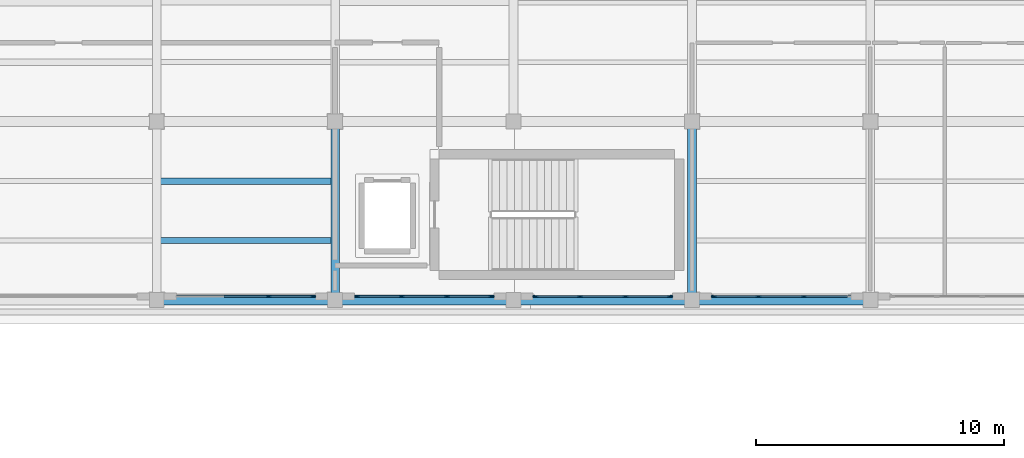
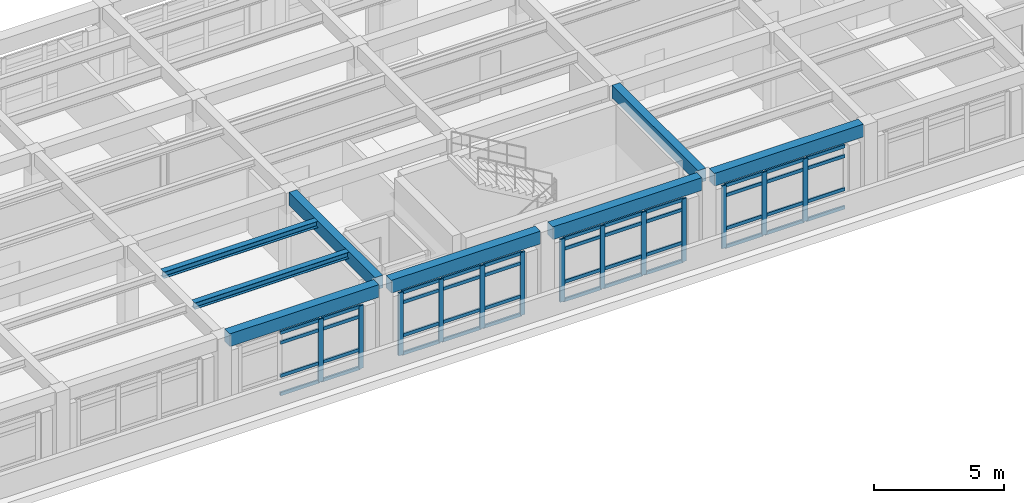
# One storey, part 4 of 19: 57 members, 8 beams, 4 elements without a shape of their own.
"""IFC4 building model written with IfcOpenShell, lengths in metres."""

from ifc_helpers import new_model, si_unit, direction, frame, origin, origin_2d, place, context, subcontext, project, spatial, rectangle, i_section, extrude, material, layer, layer_set, material_profile, profile_set, type_object, element, aggregate, save


model = new_model("IFC4")

# Units and contexts
model_context = context("Model", 3, precision=1e-05, world=origin(), true_north=direction((0.0, 1.0)))
body_context = subcontext(model_context, "Body", "Model", "MODEL_VIEW")
ifc_project = project(units=[si_unit("LENGTHUNIT", "METRE"), si_unit("AREAUNIT", "SQUARE_METRE"), si_unit("VOLUMEUNIT", "CUBIC_METRE"), si_unit("PLANEANGLEUNIT", "RADIAN"), si_unit("MASSUNIT", "GRAM", prefix="KILO")], contexts=[model_context])

# Site, building, storey
site_placement = place(None, origin())
site = spatial("IfcSite", under=ifc_project, at=site_placement, CompositionType="ELEMENT")
building_placement = place(site_placement, origin())
building = spatial("IfcBuilding", under=site, at=building_placement, Name="Solenvale Faculty of Natural Sciences", CompositionType="ELEMENT")
storey_placement = place(building_placement, frame((0.0, 0.0, 27.0)))
storey = spatial("IfcBuildingStorey", under=building, at=storey_placement, Name="L06", CompositionType="ELEMENT", Elevation=27.0)

# Beams
ifc_material_1 = material(Name="Concrete 40 MPa", Category="concrete")
ifc_material_profile_1 = material_profile(ifc_material_1, rectangle(XDim=0.35009765625, YDim=0.60009765625, at=origin_2d()), Name="RC-BM-350x600")
ifc_profile_set_1 = profile_set([ifc_material_profile_1], Name="Concrete 40 MPa")
beam_type_1 = type_object("IfcBeamType", Name="BM-RC-350x600", PredefinedType="BEAM", material=ifc_profile_set_1)
for number, where, z_axis, x_axis, name in (
    (1, (100.800048828125, 93.8798828125, 3.6201171875), (0.0, 1.0, 0.0), (-1.0, 0.0, 0.0), "L06 Y-Girder X100.8 (93.6..100.8)"),
    (2, (115.199951171875, 93.8798828125, 3.6201171875), (0.0, 1.0, 0.0), (-1.0, 0.0, 0.0), "L06 Y-Girder X115.2 (93.6..100.8)"),
):
    element("IfcBeam", number, at=place(storey_placement, frame(where, z_axis=z_axis, x_axis=x_axis)), inside=storey, type_object=beam_type_1, Name=name, PredefinedType="BEAM", context=body_context, shape_type="SweptSolid", body=[
        extrude(rectangle(XDim=0.35009765625, YDim=0.60009765625, at=origin_2d()), origin(), (0.0, 0.0, 1.0), 6.64013671875),
    ])
ifc_material_profile_2 = material_profile(ifc_material_1, rectangle(XDim=0.39990234375, YDim=0.60009765625, at=origin_2d()), Name="RC-BM-400x600")
ifc_profile_set_2 = profile_set([ifc_material_profile_2], Name="Concrete 40 MPa")
beam_type_2 = type_object("IfcBeamType", Name="BM-RC-400x600", PredefinedType="BEAM", material=ifc_profile_set_2)
beam_1_placement = place(storey_placement, frame((93.8798828125, 93.60009765625, 3.6201171875), z_axis=(1.0, 0.0, 0.0), x_axis=(0.0, 1.0, 0.0)))
element("IfcBeam", 3, at=beam_1_placement, inside=storey, type_object=beam_type_2, Name="L06 X-Girder Y93.6 (93.6..100.8)", PredefinedType="BEAM", context=body_context, shape_type="SweptSolid", body=[
    extrude(rectangle(XDim=0.39990234375, YDim=0.60009765625, at=origin_2d()), origin(), (0.0, 0.0, 1.0), 6.64013671875),
])
for number, where, z_axis, x_axis, name in (
    (4, (101.080078125, 93.60009765625, 3.6201171875), (1.0, 0.0, 0.0), (0.0, 1.0, 0.0), "L06 X-Girder Y93.6 (100.8..108.0)"),
    (5, (108.280029296875, 93.60009765625, 3.6201171875), (1.0, 0.0, 0.0), (0.0, 1.0, 0.0), "L06 X-Girder Y93.6 (108.0..115.2)"),
):
    element("IfcBeam", number, at=place(storey_placement, frame(where, z_axis=z_axis, x_axis=x_axis)), inside=storey, type_object=beam_type_2, Name=name, PredefinedType="BEAM", context=body_context, shape_type="SweptSolid", body=[
        extrude(rectangle(XDim=0.39990234375, YDim=0.60009765625, at=origin_2d()), origin(), (0.0, 0.0, 1.0), 6.639892578125),
    ])
beam_2_placement = place(storey_placement, frame((115.47998046875, 93.60009765625, 3.6201171875), z_axis=(1.0, 0.0, 0.0), x_axis=(0.0, 1.0, 0.0)))
element("IfcBeam", 6, at=beam_2_placement, inside=storey, type_object=beam_type_2, Name="L06 X-Girder Y93.6 (115.2..122.4)", PredefinedType="BEAM", context=body_context, shape_type="SweptSolid", body=[
    extrude(rectangle(XDim=0.39990234375, YDim=0.60009765625, at=origin_2d()), origin(), (0.0, 0.0, 1.0), 6.64013671875),
])
ifc_material_2 = material(Name="Steel S355", Category="steel")
ifc_material_profile_3 = material_profile(ifc_material_2, i_section(OverallWidth=0.25390625, OverallDepth=0.305908203125, WebThickness=0.0087890625, FlangeThickness=0.0146484375, FilletRadius=0.014892578125, at=origin_2d()), Name="W310x79")
ifc_profile_set_3 = profile_set([ifc_material_profile_3], Name="Steel S355")
beam_type_3 = type_object("IfcBeamType", Name="BM-STL-W310x79", PredefinedType="JOIST", material=ifc_profile_set_3)
for number, where, z_axis, x_axis, name in (
    (7, (93.7548828125, 96.0, 3.76708984375), (1.0, 0.0, 0.0), (0.0, 1.0, 0.0), "L06 Composite Floor Joist (14,14).1"),
    (8, (93.7548828125, 98.39990234375, 3.76708984375), (1.0, 0.0, 0.0), (0.0, 1.0, 0.0), "L06 Composite Floor Joist (14,14).2"),
):
    element("IfcBeam", number, at=place(storey_placement, frame(where, z_axis=z_axis, x_axis=x_axis)), inside=storey, type_object=beam_type_3, Name=name, PredefinedType="JOIST", context=body_context, shape_type="SweptSolid", body=[
        extrude(i_section(OverallWidth=0.25390625, OverallDepth=0.305908203125, WebThickness=0.0087890625, FlangeThickness=0.0146484375, FilletRadius=0.014892578125, at=origin_2d()), origin(), (0.0, 0.0, 1.0), 6.89013671875),
    ])

# Curtain wall, members
ifc_material_3 = material(Name="Anodised bronze aluminium", Category="aluminium")
ifc_layer = layer(ifc_material_3, 0.179931640625)
ifc_layer_set = layer_set([ifc_layer], Name="Anodised bronze aluminium")
curtain_wall_type = type_object("IfcCurtainWallType", Name="CW-TWR-MOD", PredefinedType="USERDEFINED", material=ifc_layer_set)
curtain_wall_1_placement = place(storey_placement, origin())
curtain_wall_1 = element("IfcCurtainWall", 9, at=curtain_wall_1_placement, inside=storey, type_object=curtain_wall_type, Name="L06 Curtain Wall CW-L06-P1-E4-B3", ObjectType="UNITISED CURTAIN WALL", PredefinedType="USERDEFINED")
ifc_material_profile_4 = material_profile(ifc_material_3, rectangle(XDim=0.074951171875, YDim=0.2099609375, at=origin_2d()), Name="ALU-MUL-75x210")
ifc_profile_set_4 = profile_set([ifc_material_profile_4], Name="Anodised bronze aluminium")
member_type_1 = type_object("IfcMemberType", Name="CWM-ALU-75x210", PredefinedType="MULLION", material=ifc_profile_set_4)
member_1_placement = place(storey_placement, frame((98.11669921875, 93.742431640625, 0.0), z_axis=(0.0, 0.0, 1.0), x_axis=(0.0, 1.0, 0.0)))
member_1 = element("IfcMember", 10, at=member_1_placement, type_object=member_type_1, Name="CW-04 mullion 3", PredefinedType="MULLION", context=body_context, shape_type="SweptSolid", body=[
    extrude(rectangle(XDim=0.074951171875, YDim=0.2099609375, at=origin_2d()), origin(), (0.0, 0.0, 1.0), 2.9599609375),
])
member_2_placement = place(storey_placement, frame((99.91259765625, 93.742431640625, 0.0), z_axis=(0.0, 0.0, 1.0), x_axis=(0.0, 1.0, 0.0)))
member_2 = element("IfcMember", 11, at=member_2_placement, type_object=member_type_1, Name="CW-04 mullion 4", PredefinedType="MULLION", context=body_context, shape_type="SweptSolid", body=[
    extrude(rectangle(XDim=0.074951171875, YDim=0.2099609375, at=origin_2d()), origin(), (0.0, 0.0, 1.0), 2.9599609375),
])

curtain_wall_2_placement = place(storey_placement, origin())
curtain_wall_2 = element("IfcCurtainWall", 12, at=curtain_wall_2_placement, inside=storey, type_object=curtain_wall_type, Name="L06 Curtain Wall CW-L06-P1-E4-B4", ObjectType="UNITISED CURTAIN WALL", PredefinedType="USERDEFINED")
member_3_placement = place(storey_placement, frame((101.6875, 93.742431640625, 0.0), z_axis=(0.0, 0.0, 1.0), x_axis=(0.0, 1.0, 0.0)))
member_3 = element("IfcMember", 13, at=member_3_placement, type_object=member_type_1, Name="CW-04 mullion 1", PredefinedType="MULLION", context=body_context, shape_type="SweptSolid", body=[
    extrude(rectangle(XDim=0.074951171875, YDim=0.2099609375, at=origin_2d()), origin(), (0.0, 0.0, 1.0), 2.9599609375),
])
member_4_placement = place(storey_placement, frame((103.4833984375, 93.742431640625, 0.0), z_axis=(0.0, 0.0, 1.0), x_axis=(0.0, 1.0, 0.0)))
member_4 = element("IfcMember", 14, at=member_4_placement, type_object=member_type_1, Name="CW-04 mullion 2", PredefinedType="MULLION", context=body_context, shape_type="SweptSolid", body=[
    extrude(rectangle(XDim=0.074951171875, YDim=0.2099609375, at=origin_2d()), origin(), (0.0, 0.0, 1.0), 2.9599609375),
])
member_5_placement = place(storey_placement, frame((105.316650390625, 93.742431640625, 0.0), z_axis=(0.0, 0.0, 1.0), x_axis=(0.0, 1.0, 0.0)))
member_5 = element("IfcMember", 15, at=member_5_placement, type_object=member_type_1, Name="CW-04 mullion 3", PredefinedType="MULLION", context=body_context, shape_type="SweptSolid", body=[
    extrude(rectangle(XDim=0.074951171875, YDim=0.2099609375, at=origin_2d()), origin(), (0.0, 0.0, 1.0), 2.9599609375),
])
member_6_placement = place(storey_placement, frame((107.112548828125, 93.742431640625, 0.0), z_axis=(0.0, 0.0, 1.0), x_axis=(0.0, 1.0, 0.0)))
member_6 = element("IfcMember", 16, at=member_6_placement, type_object=member_type_1, Name="CW-04 mullion 4", PredefinedType="MULLION", context=body_context, shape_type="SweptSolid", body=[
    extrude(rectangle(XDim=0.074951171875, YDim=0.2099609375, at=origin_2d()), origin(), (0.0, 0.0, 1.0), 2.9599609375),
])

curtain_wall_3_placement = place(storey_placement, origin())
curtain_wall_3 = element("IfcCurtainWall", 17, at=curtain_wall_3_placement, inside=storey, type_object=curtain_wall_type, Name="L06 Curtain Wall CW-L06-P1-E4-B5", ObjectType="UNITISED CURTAIN WALL", PredefinedType="USERDEFINED")
member_7_placement = place(storey_placement, frame((108.887451171875, 93.742431640625, 0.0), z_axis=(0.0, 0.0, 1.0), x_axis=(0.0, 1.0, 0.0)))
member_7 = element("IfcMember", 18, at=member_7_placement, type_object=member_type_1, Name="CW-04 mullion 1", PredefinedType="MULLION", context=body_context, shape_type="SweptSolid", body=[
    extrude(rectangle(XDim=0.074951171875, YDim=0.2099609375, at=origin_2d()), origin(), (0.0, 0.0, 1.0), 2.9599609375),
])
member_8_placement = place(storey_placement, frame((110.683349609375, 93.742431640625, 0.0), z_axis=(0.0, 0.0, 1.0), x_axis=(0.0, 1.0, 0.0)))
member_8 = element("IfcMember", 19, at=member_8_placement, type_object=member_type_1, Name="CW-04 mullion 2", PredefinedType="MULLION", context=body_context, shape_type="SweptSolid", body=[
    extrude(rectangle(XDim=0.074951171875, YDim=0.2099609375, at=origin_2d()), origin(), (0.0, 0.0, 1.0), 2.9599609375),
])
member_9_placement = place(storey_placement, frame((112.5166015625, 93.742431640625, 0.0), z_axis=(0.0, 0.0, 1.0), x_axis=(0.0, 1.0, 0.0)))
member_9 = element("IfcMember", 20, at=member_9_placement, type_object=member_type_1, Name="CW-04 mullion 3", PredefinedType="MULLION", context=body_context, shape_type="SweptSolid", body=[
    extrude(rectangle(XDim=0.074951171875, YDim=0.2099609375, at=origin_2d()), origin(), (0.0, 0.0, 1.0), 2.9599609375),
])
member_10_placement = place(storey_placement, frame((114.3125, 93.742431640625, 0.0), z_axis=(0.0, 0.0, 1.0), x_axis=(0.0, 1.0, 0.0)))
member_10 = element("IfcMember", 21, at=member_10_placement, type_object=member_type_1, Name="CW-04 mullion 4", PredefinedType="MULLION", context=body_context, shape_type="SweptSolid", body=[
    extrude(rectangle(XDim=0.074951171875, YDim=0.2099609375, at=origin_2d()), origin(), (0.0, 0.0, 1.0), 2.9599609375),
])

curtain_wall_4_placement = place(storey_placement, origin())
curtain_wall_4 = element("IfcCurtainWall", 22, at=curtain_wall_4_placement, inside=storey, type_object=curtain_wall_type, Name="L06 Curtain Wall CW-L06-P1-E4-B6", ObjectType="UNITISED CURTAIN WALL", PredefinedType="USERDEFINED")
member_11_placement = place(storey_placement, frame((116.08740234375, 93.742431640625, 0.0), z_axis=(0.0, 0.0, 1.0), x_axis=(0.0, 1.0, 0.0)))
member_11 = element("IfcMember", 23, at=member_11_placement, type_object=member_type_1, Name="CW-04 mullion 1", PredefinedType="MULLION", context=body_context, shape_type="SweptSolid", body=[
    extrude(rectangle(XDim=0.074951171875, YDim=0.2099609375, at=origin_2d()), origin(), (0.0, 0.0, 1.0), 2.9599609375),
])
member_12_placement = place(storey_placement, frame((117.88330078125, 93.742431640625, 0.0), z_axis=(0.0, 0.0, 1.0), x_axis=(0.0, 1.0, 0.0)))
member_12 = element("IfcMember", 24, at=member_12_placement, type_object=member_type_1, Name="CW-04 mullion 2", PredefinedType="MULLION", context=body_context, shape_type="SweptSolid", body=[
    extrude(rectangle(XDim=0.074951171875, YDim=0.2099609375, at=origin_2d()), origin(), (0.0, 0.0, 1.0), 2.9599609375),
])
member_13_placement = place(storey_placement, frame((119.716552734375, 93.742431640625, 0.0), z_axis=(0.0, 0.0, 1.0), x_axis=(0.0, 1.0, 0.0)))
member_13 = element("IfcMember", 25, at=member_13_placement, type_object=member_type_1, Name="CW-04 mullion 3", PredefinedType="MULLION", context=body_context, shape_type="SweptSolid", body=[
    extrude(rectangle(XDim=0.074951171875, YDim=0.2099609375, at=origin_2d()), origin(), (0.0, 0.0, 1.0), 2.9599609375),
])

# Member
ifc_material_profile_5 = material_profile(ifc_material_3, rectangle(XDim=0.074951171875, YDim=0.155029296875, at=origin_2d()), Name="ALU-TRN-75x155")
ifc_profile_set_5 = profile_set([ifc_material_profile_5], Name="Anodised bronze aluminium")
member_type_2 = type_object("IfcMemberType", Name="CWT-ALU-75x155", PredefinedType="USERDEFINED", material=ifc_profile_set_5)
member_14_placement = place(storey_placement, frame((96.32080078125, 93.742431640625, 0.03759765625), z_axis=(1.0, 0.0, 0.0), x_axis=(0.0, 1.0, 0.0)))
member_14 = element("IfcMember", 26, at=member_14_placement, type_object=member_type_2, Name="CW-04 transom 2.1", ObjectType="TRANSOM", PredefinedType="USERDEFINED", context=body_context, shape_type="SweptSolid", body=[
    extrude(rectangle(XDim=0.074951171875, YDim=0.155029296875, at=origin_2d()), origin(), (0.0, 0.0, 1.0), 1.75830078125),
])

member_15_placement = place(storey_placement, frame((96.32080078125, 93.742431640625, 0.89990234375), z_axis=(1.0, 0.0, 0.0), x_axis=(0.0, 1.0, 0.0)))
member_15 = element("IfcMember", 27, at=member_15_placement, type_object=member_type_2, Name="CW-04 transom 2.2", ObjectType="TRANSOM", PredefinedType="USERDEFINED", context=body_context, shape_type="SweptSolid", body=[
    extrude(rectangle(XDim=0.074951171875, YDim=0.155029296875, at=origin_2d()), origin(), (0.0, 0.0, 1.0), 1.75830078125),
])

member_16_placement = place(storey_placement, frame((96.32080078125, 93.742431640625, 2.4599609375), z_axis=(1.0, 0.0, 0.0), x_axis=(0.0, 1.0, 0.0)))
member_16 = element("IfcMember", 28, at=member_16_placement, type_object=member_type_2, Name="CW-04 transom 2.3", ObjectType="TRANSOM", PredefinedType="USERDEFINED", context=body_context, shape_type="SweptSolid", body=[
    extrude(rectangle(XDim=0.074951171875, YDim=0.155029296875, at=origin_2d()), origin(), (0.0, 0.0, 1.0), 1.75830078125),
])

member_17_placement = place(storey_placement, frame((96.32080078125, 93.742431640625, 2.922607421875), z_axis=(1.0, 0.0, 0.0), x_axis=(0.0, 1.0, 0.0)))
member_17 = element("IfcMember", 29, at=member_17_placement, type_object=member_type_2, Name="CW-04 transom 2.4", ObjectType="TRANSOM", PredefinedType="USERDEFINED", context=body_context, shape_type="SweptSolid", body=[
    extrude(rectangle(XDim=0.074951171875, YDim=0.155029296875, at=origin_2d()), origin(), (0.0, 0.0, 1.0), 1.75830078125),
])

member_18_placement = place(storey_placement, frame((98.154052734375, 93.742431640625, 0.03759765625), z_axis=(1.0, 0.0, 0.0), x_axis=(0.0, 1.0, 0.0)))
member_18 = element("IfcMember", 30, at=member_18_placement, type_object=member_type_2, Name="CW-04 transom 3.1", ObjectType="TRANSOM", PredefinedType="USERDEFINED", context=body_context, shape_type="SweptSolid", body=[
    extrude(rectangle(XDim=0.074951171875, YDim=0.155029296875, at=origin_2d()), origin(), (0.0, 0.0, 1.0), 1.720947265625),
])

member_19_placement = place(storey_placement, frame((98.154052734375, 93.742431640625, 0.89990234375), z_axis=(1.0, 0.0, 0.0), x_axis=(0.0, 1.0, 0.0)))
member_19 = element("IfcMember", 31, at=member_19_placement, type_object=member_type_2, Name="CW-04 transom 3.2", ObjectType="TRANSOM", PredefinedType="USERDEFINED", context=body_context, shape_type="SweptSolid", body=[
    extrude(rectangle(XDim=0.074951171875, YDim=0.155029296875, at=origin_2d()), origin(), (0.0, 0.0, 1.0), 1.720947265625),
])

member_20_placement = place(storey_placement, frame((98.154052734375, 93.742431640625, 2.4599609375), z_axis=(1.0, 0.0, 0.0), x_axis=(0.0, 1.0, 0.0)))
member_20 = element("IfcMember", 32, at=member_20_placement, type_object=member_type_2, Name="CW-04 transom 3.3", ObjectType="TRANSOM", PredefinedType="USERDEFINED", context=body_context, shape_type="SweptSolid", body=[
    extrude(rectangle(XDim=0.074951171875, YDim=0.155029296875, at=origin_2d()), origin(), (0.0, 0.0, 1.0), 1.720947265625),
])

member_21_placement = place(storey_placement, frame((98.154052734375, 93.742431640625, 2.922607421875), z_axis=(1.0, 0.0, 0.0), x_axis=(0.0, 1.0, 0.0)))
member_21 = element("IfcMember", 33, at=member_21_placement, type_object=member_type_2, Name="CW-04 transom 3.4", ObjectType="TRANSOM", PredefinedType="USERDEFINED", context=body_context, shape_type="SweptSolid", body=[
    extrude(rectangle(XDim=0.074951171875, YDim=0.155029296875, at=origin_2d()), origin(), (0.0, 0.0, 1.0), 1.720947265625),
])

aggregate(curtain_wall_1, [member_1, member_2, member_14, member_15, member_16, member_17, member_18, member_19, member_20, member_21])

member_22_placement = place(storey_placement, frame((101.72509765625, 93.742431640625, 0.03759765625), z_axis=(1.0, 0.0, 0.0), x_axis=(0.0, 1.0, 0.0)))
member_22 = element("IfcMember", 34, at=member_22_placement, type_object=member_type_2, Name="CW-04 transom 1.1", ObjectType="TRANSOM", PredefinedType="USERDEFINED", context=body_context, shape_type="SweptSolid", body=[
    extrude(rectangle(XDim=0.074951171875, YDim=0.155029296875, at=origin_2d()), origin(), (0.0, 0.0, 1.0), 1.720703125),
])

member_23_placement = place(storey_placement, frame((101.72509765625, 93.742431640625, 0.89990234375), z_axis=(1.0, 0.0, 0.0), x_axis=(0.0, 1.0, 0.0)))
member_23 = element("IfcMember", 35, at=member_23_placement, type_object=member_type_2, Name="CW-04 transom 1.2", ObjectType="TRANSOM", PredefinedType="USERDEFINED", context=body_context, shape_type="SweptSolid", body=[
    extrude(rectangle(XDim=0.074951171875, YDim=0.155029296875, at=origin_2d()), origin(), (0.0, 0.0, 1.0), 1.720703125),
])

member_24_placement = place(storey_placement, frame((101.72509765625, 93.742431640625, 2.4599609375), z_axis=(1.0, 0.0, 0.0), x_axis=(0.0, 1.0, 0.0)))
member_24 = element("IfcMember", 36, at=member_24_placement, type_object=member_type_2, Name="CW-04 transom 1.3", ObjectType="TRANSOM", PredefinedType="USERDEFINED", context=body_context, shape_type="SweptSolid", body=[
    extrude(rectangle(XDim=0.074951171875, YDim=0.155029296875, at=origin_2d()), origin(), (0.0, 0.0, 1.0), 1.720703125),
])

member_25_placement = place(storey_placement, frame((101.72509765625, 93.742431640625, 2.922607421875), z_axis=(1.0, 0.0, 0.0), x_axis=(0.0, 1.0, 0.0)))
member_25 = element("IfcMember", 37, at=member_25_placement, type_object=member_type_2, Name="CW-04 transom 1.4", ObjectType="TRANSOM", PredefinedType="USERDEFINED", context=body_context, shape_type="SweptSolid", body=[
    extrude(rectangle(XDim=0.074951171875, YDim=0.155029296875, at=origin_2d()), origin(), (0.0, 0.0, 1.0), 1.720703125),
])

member_26_placement = place(storey_placement, frame((103.520751953125, 93.742431640625, 0.03759765625), z_axis=(1.0, 0.0, 0.0), x_axis=(0.0, 1.0, 0.0)))
member_26 = element("IfcMember", 38, at=member_26_placement, type_object=member_type_2, Name="CW-04 transom 2.1", ObjectType="TRANSOM", PredefinedType="USERDEFINED", context=body_context, shape_type="SweptSolid", body=[
    extrude(rectangle(XDim=0.074951171875, YDim=0.155029296875, at=origin_2d()), origin(), (0.0, 0.0, 1.0), 1.75830078125),
])

member_27_placement = place(storey_placement, frame((103.520751953125, 93.742431640625, 0.89990234375), z_axis=(1.0, 0.0, 0.0), x_axis=(0.0, 1.0, 0.0)))
member_27 = element("IfcMember", 39, at=member_27_placement, type_object=member_type_2, Name="CW-04 transom 2.2", ObjectType="TRANSOM", PredefinedType="USERDEFINED", context=body_context, shape_type="SweptSolid", body=[
    extrude(rectangle(XDim=0.074951171875, YDim=0.155029296875, at=origin_2d()), origin(), (0.0, 0.0, 1.0), 1.75830078125),
])

member_28_placement = place(storey_placement, frame((103.520751953125, 93.742431640625, 2.4599609375), z_axis=(1.0, 0.0, 0.0), x_axis=(0.0, 1.0, 0.0)))
member_28 = element("IfcMember", 40, at=member_28_placement, type_object=member_type_2, Name="CW-04 transom 2.3", ObjectType="TRANSOM", PredefinedType="USERDEFINED", context=body_context, shape_type="SweptSolid", body=[
    extrude(rectangle(XDim=0.074951171875, YDim=0.155029296875, at=origin_2d()), origin(), (0.0, 0.0, 1.0), 1.75830078125),
])

member_29_placement = place(storey_placement, frame((103.520751953125, 93.742431640625, 2.922607421875), z_axis=(1.0, 0.0, 0.0), x_axis=(0.0, 1.0, 0.0)))
member_29 = element("IfcMember", 41, at=member_29_placement, type_object=member_type_2, Name="CW-04 transom 2.4", ObjectType="TRANSOM", PredefinedType="USERDEFINED", context=body_context, shape_type="SweptSolid", body=[
    extrude(rectangle(XDim=0.074951171875, YDim=0.155029296875, at=origin_2d()), origin(), (0.0, 0.0, 1.0), 1.75830078125),
])

member_30_placement = place(storey_placement, frame((105.354248046875, 93.742431640625, 0.03759765625), z_axis=(1.0, 0.0, 0.0), x_axis=(0.0, 1.0, 0.0)))
member_30 = element("IfcMember", 42, at=member_30_placement, type_object=member_type_2, Name="CW-04 transom 3.1", ObjectType="TRANSOM", PredefinedType="USERDEFINED", context=body_context, shape_type="SweptSolid", body=[
    extrude(rectangle(XDim=0.074951171875, YDim=0.155029296875, at=origin_2d()), origin(), (0.0, 0.0, 1.0), 1.720703125),
])

member_31_placement = place(storey_placement, frame((105.354248046875, 93.742431640625, 0.89990234375), z_axis=(1.0, 0.0, 0.0), x_axis=(0.0, 1.0, 0.0)))
member_31 = element("IfcMember", 43, at=member_31_placement, type_object=member_type_2, Name="CW-04 transom 3.2", ObjectType="TRANSOM", PredefinedType="USERDEFINED", context=body_context, shape_type="SweptSolid", body=[
    extrude(rectangle(XDim=0.074951171875, YDim=0.155029296875, at=origin_2d()), origin(), (0.0, 0.0, 1.0), 1.720703125),
])

member_32_placement = place(storey_placement, frame((105.354248046875, 93.742431640625, 2.4599609375), z_axis=(1.0, 0.0, 0.0), x_axis=(0.0, 1.0, 0.0)))
member_32 = element("IfcMember", 44, at=member_32_placement, type_object=member_type_2, Name="CW-04 transom 3.3", ObjectType="TRANSOM", PredefinedType="USERDEFINED", context=body_context, shape_type="SweptSolid", body=[
    extrude(rectangle(XDim=0.074951171875, YDim=0.155029296875, at=origin_2d()), origin(), (0.0, 0.0, 1.0), 1.720703125),
])

member_33_placement = place(storey_placement, frame((105.354248046875, 93.742431640625, 2.922607421875), z_axis=(1.0, 0.0, 0.0), x_axis=(0.0, 1.0, 0.0)))
member_33 = element("IfcMember", 45, at=member_33_placement, type_object=member_type_2, Name="CW-04 transom 3.4", ObjectType="TRANSOM", PredefinedType="USERDEFINED", context=body_context, shape_type="SweptSolid", body=[
    extrude(rectangle(XDim=0.074951171875, YDim=0.155029296875, at=origin_2d()), origin(), (0.0, 0.0, 1.0), 1.720703125),
])

aggregate(curtain_wall_2, [member_3, member_4, member_5, member_6, member_22, member_23, member_24, member_25, member_26, member_27, member_28, member_29, member_30, member_31, member_32, member_33])

member_34_placement = place(storey_placement, frame((108.925048828125, 93.742431640625, 0.03759765625), z_axis=(1.0, 0.0, 0.0), x_axis=(0.0, 1.0, 0.0)))
member_34 = element("IfcMember", 46, at=member_34_placement, type_object=member_type_2, Name="CW-04 transom 1.1", ObjectType="TRANSOM", PredefinedType="USERDEFINED", context=body_context, shape_type="SweptSolid", body=[
    extrude(rectangle(XDim=0.074951171875, YDim=0.155029296875, at=origin_2d()), origin(), (0.0, 0.0, 1.0), 1.720703125),
])

member_35_placement = place(storey_placement, frame((108.925048828125, 93.742431640625, 0.89990234375), z_axis=(1.0, 0.0, 0.0), x_axis=(0.0, 1.0, 0.0)))
member_35 = element("IfcMember", 47, at=member_35_placement, type_object=member_type_2, Name="CW-04 transom 1.2", ObjectType="TRANSOM", PredefinedType="USERDEFINED", context=body_context, shape_type="SweptSolid", body=[
    extrude(rectangle(XDim=0.074951171875, YDim=0.155029296875, at=origin_2d()), origin(), (0.0, 0.0, 1.0), 1.720703125),
])

member_36_placement = place(storey_placement, frame((108.925048828125, 93.742431640625, 2.4599609375), z_axis=(1.0, 0.0, 0.0), x_axis=(0.0, 1.0, 0.0)))
member_36 = element("IfcMember", 48, at=member_36_placement, type_object=member_type_2, Name="CW-04 transom 1.3", ObjectType="TRANSOM", PredefinedType="USERDEFINED", context=body_context, shape_type="SweptSolid", body=[
    extrude(rectangle(XDim=0.074951171875, YDim=0.155029296875, at=origin_2d()), origin(), (0.0, 0.0, 1.0), 1.720703125),
])

member_37_placement = place(storey_placement, frame((108.925048828125, 93.742431640625, 2.922607421875), z_axis=(1.0, 0.0, 0.0), x_axis=(0.0, 1.0, 0.0)))
member_37 = element("IfcMember", 49, at=member_37_placement, type_object=member_type_2, Name="CW-04 transom 1.4", ObjectType="TRANSOM", PredefinedType="USERDEFINED", context=body_context, shape_type="SweptSolid", body=[
    extrude(rectangle(XDim=0.074951171875, YDim=0.155029296875, at=origin_2d()), origin(), (0.0, 0.0, 1.0), 1.720703125),
])

member_38_placement = place(storey_placement, frame((110.720947265625, 93.742431640625, 0.03759765625), z_axis=(1.0, 0.0, 0.0), x_axis=(0.0, 1.0, 0.0)))
member_38 = element("IfcMember", 50, at=member_38_placement, type_object=member_type_2, Name="CW-04 transom 2.1", ObjectType="TRANSOM", PredefinedType="USERDEFINED", context=body_context, shape_type="SweptSolid", body=[
    extrude(rectangle(XDim=0.074951171875, YDim=0.155029296875, at=origin_2d()), origin(), (0.0, 0.0, 1.0), 1.75830078125),
])

member_39_placement = place(storey_placement, frame((110.720947265625, 93.742431640625, 0.89990234375), z_axis=(1.0, 0.0, 0.0), x_axis=(0.0, 1.0, 0.0)))
member_39 = element("IfcMember", 51, at=member_39_placement, type_object=member_type_2, Name="CW-04 transom 2.2", ObjectType="TRANSOM", PredefinedType="USERDEFINED", context=body_context, shape_type="SweptSolid", body=[
    extrude(rectangle(XDim=0.074951171875, YDim=0.155029296875, at=origin_2d()), origin(), (0.0, 0.0, 1.0), 1.75830078125),
])

member_40_placement = place(storey_placement, frame((110.720947265625, 93.742431640625, 2.4599609375), z_axis=(1.0, 0.0, 0.0), x_axis=(0.0, 1.0, 0.0)))
member_40 = element("IfcMember", 52, at=member_40_placement, type_object=member_type_2, Name="CW-04 transom 2.3", ObjectType="TRANSOM", PredefinedType="USERDEFINED", context=body_context, shape_type="SweptSolid", body=[
    extrude(rectangle(XDim=0.074951171875, YDim=0.155029296875, at=origin_2d()), origin(), (0.0, 0.0, 1.0), 1.75830078125),
])

member_41_placement = place(storey_placement, frame((110.720947265625, 93.742431640625, 2.922607421875), z_axis=(1.0, 0.0, 0.0), x_axis=(0.0, 1.0, 0.0)))
member_41 = element("IfcMember", 53, at=member_41_placement, type_object=member_type_2, Name="CW-04 transom 2.4", ObjectType="TRANSOM", PredefinedType="USERDEFINED", context=body_context, shape_type="SweptSolid", body=[
    extrude(rectangle(XDim=0.074951171875, YDim=0.155029296875, at=origin_2d()), origin(), (0.0, 0.0, 1.0), 1.75830078125),
])

member_42_placement = place(storey_placement, frame((112.55419921875, 93.742431640625, 0.03759765625), z_axis=(1.0, 0.0, 0.0), x_axis=(0.0, 1.0, 0.0)))
member_42 = element("IfcMember", 54, at=member_42_placement, type_object=member_type_2, Name="CW-04 transom 3.1", ObjectType="TRANSOM", PredefinedType="USERDEFINED", context=body_context, shape_type="SweptSolid", body=[
    extrude(rectangle(XDim=0.074951171875, YDim=0.155029296875, at=origin_2d()), origin(), (0.0, 0.0, 1.0), 1.720703125),
])

member_43_placement = place(storey_placement, frame((112.55419921875, 93.742431640625, 0.89990234375), z_axis=(1.0, 0.0, 0.0), x_axis=(0.0, 1.0, 0.0)))
member_43 = element("IfcMember", 55, at=member_43_placement, type_object=member_type_2, Name="CW-04 transom 3.2", ObjectType="TRANSOM", PredefinedType="USERDEFINED", context=body_context, shape_type="SweptSolid", body=[
    extrude(rectangle(XDim=0.074951171875, YDim=0.155029296875, at=origin_2d()), origin(), (0.0, 0.0, 1.0), 1.720703125),
])

member_44_placement = place(storey_placement, frame((112.55419921875, 93.742431640625, 2.4599609375), z_axis=(1.0, 0.0, 0.0), x_axis=(0.0, 1.0, 0.0)))
member_44 = element("IfcMember", 56, at=member_44_placement, type_object=member_type_2, Name="CW-04 transom 3.3", ObjectType="TRANSOM", PredefinedType="USERDEFINED", context=body_context, shape_type="SweptSolid", body=[
    extrude(rectangle(XDim=0.074951171875, YDim=0.155029296875, at=origin_2d()), origin(), (0.0, 0.0, 1.0), 1.720703125),
])

member_45_placement = place(storey_placement, frame((112.55419921875, 93.742431640625, 2.922607421875), z_axis=(1.0, 0.0, 0.0), x_axis=(0.0, 1.0, 0.0)))
member_45 = element("IfcMember", 57, at=member_45_placement, type_object=member_type_2, Name="CW-04 transom 3.4", ObjectType="TRANSOM", PredefinedType="USERDEFINED", context=body_context, shape_type="SweptSolid", body=[
    extrude(rectangle(XDim=0.074951171875, YDim=0.155029296875, at=origin_2d()), origin(), (0.0, 0.0, 1.0), 1.720703125),
])

aggregate(curtain_wall_3, [member_7, member_8, member_9, member_10, member_34, member_35, member_36, member_37, member_38, member_39, member_40, member_41, member_42, member_43, member_44, member_45])

member_46_placement = place(storey_placement, frame((116.125, 93.742431640625, 0.03759765625), z_axis=(1.0, 0.0, 0.0), x_axis=(0.0, 1.0, 0.0)))
member_46 = element("IfcMember", 58, at=member_46_placement, type_object=member_type_2, Name="CW-04 transom 1.1", ObjectType="TRANSOM", PredefinedType="USERDEFINED", context=body_context, shape_type="SweptSolid", body=[
    extrude(rectangle(XDim=0.074951171875, YDim=0.155029296875, at=origin_2d()), origin(), (0.0, 0.0, 1.0), 1.720947265625),
])

member_47_placement = place(storey_placement, frame((116.125, 93.742431640625, 0.89990234375), z_axis=(1.0, 0.0, 0.0), x_axis=(0.0, 1.0, 0.0)))
member_47 = element("IfcMember", 59, at=member_47_placement, type_object=member_type_2, Name="CW-04 transom 1.2", ObjectType="TRANSOM", PredefinedType="USERDEFINED", context=body_context, shape_type="SweptSolid", body=[
    extrude(rectangle(XDim=0.074951171875, YDim=0.155029296875, at=origin_2d()), origin(), (0.0, 0.0, 1.0), 1.720947265625),
])

member_48_placement = place(storey_placement, frame((116.125, 93.742431640625, 2.4599609375), z_axis=(1.0, 0.0, 0.0), x_axis=(0.0, 1.0, 0.0)))
member_48 = element("IfcMember", 60, at=member_48_placement, type_object=member_type_2, Name="CW-04 transom 1.3", ObjectType="TRANSOM", PredefinedType="USERDEFINED", context=body_context, shape_type="SweptSolid", body=[
    extrude(rectangle(XDim=0.074951171875, YDim=0.155029296875, at=origin_2d()), origin(), (0.0, 0.0, 1.0), 1.720947265625),
])

member_49_placement = place(storey_placement, frame((116.125, 93.742431640625, 2.922607421875), z_axis=(1.0, 0.0, 0.0), x_axis=(0.0, 1.0, 0.0)))
member_49 = element("IfcMember", 61, at=member_49_placement, type_object=member_type_2, Name="CW-04 transom 1.4", ObjectType="TRANSOM", PredefinedType="USERDEFINED", context=body_context, shape_type="SweptSolid", body=[
    extrude(rectangle(XDim=0.074951171875, YDim=0.155029296875, at=origin_2d()), origin(), (0.0, 0.0, 1.0), 1.720947265625),
])

member_50_placement = place(storey_placement, frame((117.9208984375, 93.742431640625, 0.03759765625), z_axis=(1.0, 0.0, 0.0), x_axis=(0.0, 1.0, 0.0)))
member_50 = element("IfcMember", 62, at=member_50_placement, type_object=member_type_2, Name="CW-04 transom 2.1", ObjectType="TRANSOM", PredefinedType="USERDEFINED", context=body_context, shape_type="SweptSolid", body=[
    extrude(rectangle(XDim=0.074951171875, YDim=0.155029296875, at=origin_2d()), origin(), (0.0, 0.0, 1.0), 1.75830078125),
])

member_51_placement = place(storey_placement, frame((117.9208984375, 93.742431640625, 0.89990234375), z_axis=(1.0, 0.0, 0.0), x_axis=(0.0, 1.0, 0.0)))
member_51 = element("IfcMember", 63, at=member_51_placement, type_object=member_type_2, Name="CW-04 transom 2.2", ObjectType="TRANSOM", PredefinedType="USERDEFINED", context=body_context, shape_type="SweptSolid", body=[
    extrude(rectangle(XDim=0.074951171875, YDim=0.155029296875, at=origin_2d()), origin(), (0.0, 0.0, 1.0), 1.75830078125),
])

member_52_placement = place(storey_placement, frame((117.9208984375, 93.742431640625, 2.4599609375), z_axis=(1.0, 0.0, 0.0), x_axis=(0.0, 1.0, 0.0)))
member_52 = element("IfcMember", 64, at=member_52_placement, type_object=member_type_2, Name="CW-04 transom 2.3", ObjectType="TRANSOM", PredefinedType="USERDEFINED", context=body_context, shape_type="SweptSolid", body=[
    extrude(rectangle(XDim=0.074951171875, YDim=0.155029296875, at=origin_2d()), origin(), (0.0, 0.0, 1.0), 1.75830078125),
])

member_53_placement = place(storey_placement, frame((117.9208984375, 93.742431640625, 2.922607421875), z_axis=(1.0, 0.0, 0.0), x_axis=(0.0, 1.0, 0.0)))
member_53 = element("IfcMember", 65, at=member_53_placement, type_object=member_type_2, Name="CW-04 transom 2.4", ObjectType="TRANSOM", PredefinedType="USERDEFINED", context=body_context, shape_type="SweptSolid", body=[
    extrude(rectangle(XDim=0.074951171875, YDim=0.155029296875, at=origin_2d()), origin(), (0.0, 0.0, 1.0), 1.75830078125),
])

member_54_placement = place(storey_placement, frame((119.754150390625, 93.742431640625, 0.03759765625), z_axis=(1.0, 0.0, 0.0), x_axis=(0.0, 1.0, 0.0)))
member_54 = element("IfcMember", 66, at=member_54_placement, type_object=member_type_2, Name="CW-04 transom 3.1", ObjectType="TRANSOM", PredefinedType="USERDEFINED", context=body_context, shape_type="SweptSolid", body=[
    extrude(rectangle(XDim=0.074951171875, YDim=0.155029296875, at=origin_2d()), origin(), (0.0, 0.0, 1.0), 1.720947265625),
])

member_55_placement = place(storey_placement, frame((119.754150390625, 93.742431640625, 0.89990234375), z_axis=(1.0, 0.0, 0.0), x_axis=(0.0, 1.0, 0.0)))
member_55 = element("IfcMember", 67, at=member_55_placement, type_object=member_type_2, Name="CW-04 transom 3.2", ObjectType="TRANSOM", PredefinedType="USERDEFINED", context=body_context, shape_type="SweptSolid", body=[
    extrude(rectangle(XDim=0.074951171875, YDim=0.155029296875, at=origin_2d()), origin(), (0.0, 0.0, 1.0), 1.720947265625),
])

member_56_placement = place(storey_placement, frame((119.754150390625, 93.742431640625, 2.4599609375), z_axis=(1.0, 0.0, 0.0), x_axis=(0.0, 1.0, 0.0)))
member_56 = element("IfcMember", 68, at=member_56_placement, type_object=member_type_2, Name="CW-04 transom 3.3", ObjectType="TRANSOM", PredefinedType="USERDEFINED", context=body_context, shape_type="SweptSolid", body=[
    extrude(rectangle(XDim=0.074951171875, YDim=0.155029296875, at=origin_2d()), origin(), (0.0, 0.0, 1.0), 1.720947265625),
])

member_57_placement = place(storey_placement, frame((119.754150390625, 93.742431640625, 2.922607421875), z_axis=(1.0, 0.0, 0.0), x_axis=(0.0, 1.0, 0.0)))
member_57 = element("IfcMember", 69, at=member_57_placement, type_object=member_type_2, Name="CW-04 transom 3.4", ObjectType="TRANSOM", PredefinedType="USERDEFINED", context=body_context, shape_type="SweptSolid", body=[
    extrude(rectangle(XDim=0.074951171875, YDim=0.155029296875, at=origin_2d()), origin(), (0.0, 0.0, 1.0), 1.720947265625),
])

aggregate(curtain_wall_4, [member_11, member_12, member_13, member_46, member_47, member_48, member_49, member_50, member_51, member_52, member_53, member_54, member_55, member_56, member_57])

save(model, "model.ifc")
